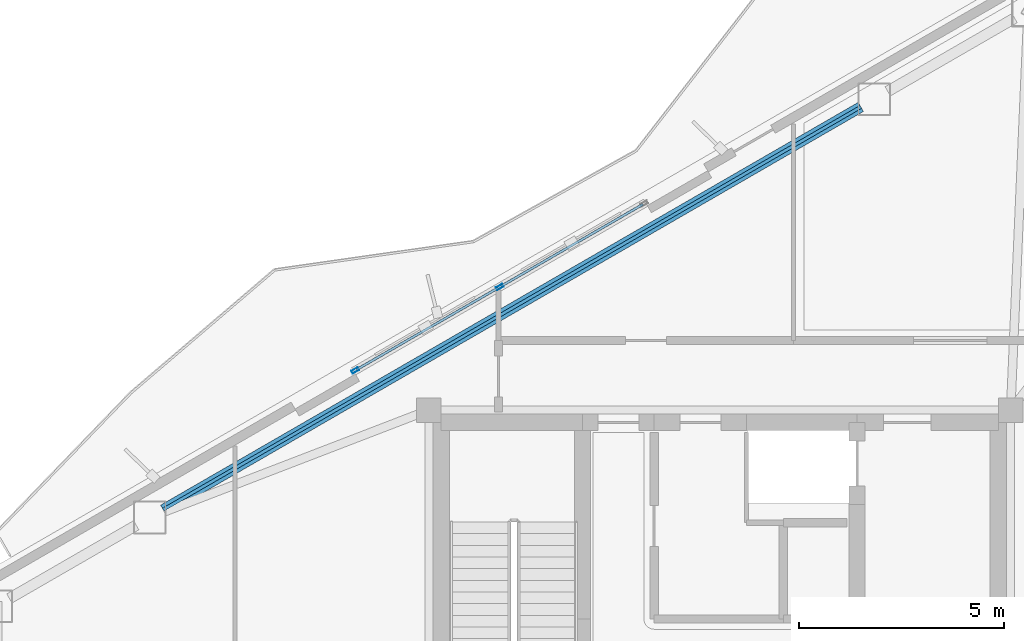
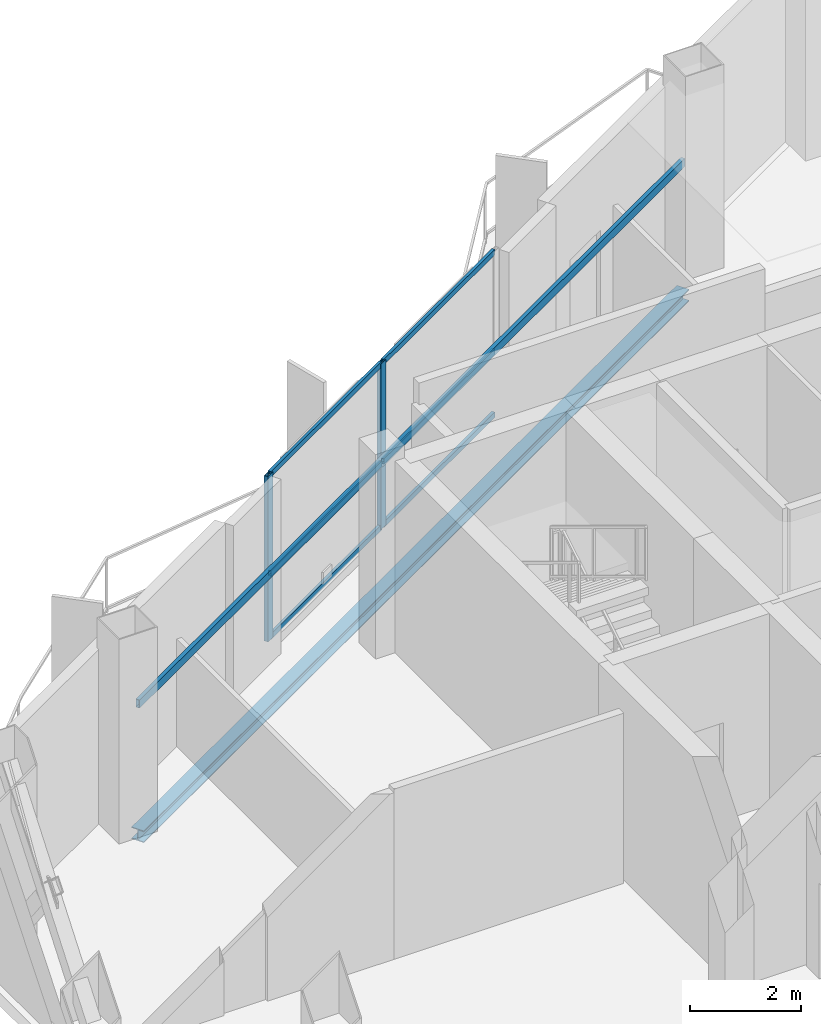
# One storey, part 6 of 14: 8 members, 2 beams, 1 element without a shape of its own.
"""IFC4 building model written with IfcOpenShell, lengths in metres."""

from ifc_helpers import new_model, si_unit, direction, frame, origin, origin_2d, place, context, subcontext, project, spatial, hollow_rectangle, i_section, extrude, material, layer, layer_set, material_profile, profile_set, type_object, element, aggregate, save


model = new_model("IFC4")

# Units and contexts
model_context = context("Model", 3, precision=1e-05, world=origin(), true_north=direction((0.0, 1.0)))
body_context = subcontext(model_context, "Body", "Model", "MODEL_VIEW")
ifc_project = project(units=[si_unit("LENGTHUNIT", "METRE"), si_unit("AREAUNIT", "SQUARE_METRE"), si_unit("VOLUMEUNIT", "CUBIC_METRE"), si_unit("PLANEANGLEUNIT", "RADIAN"), si_unit("MASSUNIT", "GRAM", prefix="KILO")], contexts=[model_context])

# Site, building, storey
site_placement = place(None, origin())
site = spatial("IfcSite", under=ifc_project, at=site_placement, CompositionType="ELEMENT")
building_placement = place(site_placement, origin())
building = spatial("IfcBuilding", under=site, at=building_placement, Name="Mersakhor Tower and Convention Hall", CompositionType="ELEMENT")
storey_placement = place(building_placement, frame((0.0, 0.0, 249.60009765625)))
storey = spatial("IfcBuildingStorey", under=building, at=storey_placement, Name="L70", CompositionType="ELEMENT", Elevation=249.60009765625)

# Beams
ifc_material_1 = material(Name="Steel S355", Category="steel")
ifc_material_profile_1 = material_profile(ifc_material_1, hollow_rectangle(XDim=0.080078125, YDim=0.179931640625, WallThickness=0.008056640625, at=origin_2d()), Name="RHS 180x80x8")
ifc_profile_set_1 = profile_set([ifc_material_profile_1], Name="Steel S355")
beam_type_1 = type_object("IfcBeamType", Name="BM-GRT-RHS180", PredefinedType="USERDEFINED", material=ifc_profile_set_1)
beam_1_placement = place(storey_placement, frame((15.414794921875, 30.618408203125, 2.47998046875), z_axis=(0.866021610626, 0.500006569886, 0.0), x_axis=(-0.500006569886, 0.866021610626, 0.0)))
element("IfcBeam", 1, at=beam_1_placement, inside=storey, type_object=beam_type_1, Name="L70 Facade Support Girt GRT-F1", ObjectType="GIRT", PredefinedType="USERDEFINED", context=body_context, shape_type="SweptSolid", body=[
    extrude(hollow_rectangle(XDim=0.080078125, YDim=0.179931640625, WallThickness=0.008056640625, at=origin_2d()), origin(), (0.0, 0.0, 1.0), 19.661865234375),
])
ifc_material_2 = material(Name="Steel S355", Category="steel")
ifc_material_profile_2 = material_profile(ifc_material_2, i_section(OverallWidth=0.25634765625, OverallDepth=0.26025390625, WebThickness=0.01025390625, FlangeThickness=0.017333984375, at=origin_2d()), Name="UC 254x254x89")
ifc_profile_set_2 = profile_set([ifc_material_profile_2], Name="Steel S355")
beam_type_2 = type_object("IfcBeamType", Name="BM-SPD-UC254", PredefinedType="SPANDREL", material=ifc_profile_set_2)
beam_2_placement = place(storey_placement, frame((15.414794921875, 30.618408203125, -0.41015625), z_axis=(0.866021610626, 0.500006569886, 0.0), x_axis=(-0.500006569886, 0.866021610626, 0.0)))
element("IfcBeam", 2, at=beam_2_placement, inside=storey, type_object=beam_type_2, Name="L70 Perimeter Spandrel Beam SPB-02", PredefinedType="SPANDREL", context=body_context, shape_type="SweptSolid", body=[
    extrude(i_section(OverallWidth=0.25634765625, OverallDepth=0.26025390625, WebThickness=0.01025390625, FlangeThickness=0.017333984375, at=origin_2d()), origin(), (0.0, 0.0, 1.0), 19.661865234375),
])

# Curtain wall, members
ifc_material_3 = material(Name="Dark solar low-E aluminium curtain wall", Category="aluminium")
ifc_layer = layer(ifc_material_3, 0.2099609375)
ifc_layer_set = layer_set([ifc_layer], Name="Dark solar low-E aluminium curtain wall")
curtain_wall_type = type_object("IfcCurtainWallType", Name="CW-SYS-06", PredefinedType="USERDEFINED", material=ifc_layer_set)
curtain_wall_placement = place(storey_placement, origin())
curtain_wall = element("IfcCurtainWall", 3, at=curtain_wall_placement, inside=storey, type_object=curtain_wall_type, Name="L70 Dark-Glass Curtain Wall F1-B2", ObjectType="CURTAIN WALL", PredefinedType="USERDEFINED")
ifc_material_4 = material(Name="Anodised aluminium EN AW-6063 T6", Category="aluminium")
ifc_material_profile_3 = material_profile(ifc_material_4, hollow_rectangle(XDim=0.080078125, YDim=0.179931640625, WallThickness=0.008056640625, at=origin_2d()), Name="RHS 180x80x8")
ifc_profile_set_3 = profile_set([ifc_material_profile_3], Name="Anodised aluminium EN AW-6063 T6")
member_type_1 = type_object("IfcMemberType", Name="CWM-180x80", PredefinedType="MULLION", material=ifc_profile_set_3)
member_1_placement = place(storey_placement, frame((20.1005859375, 34.0166015625, 0.199951171875), z_axis=(0.0, 0.0, 1.0), x_axis=(-0.500004411169, 0.86602285698, 0.0)))
member_1 = element("IfcMember", 4, at=member_1_placement, type_object=member_type_1, Name="CW-06 mullion 1", PredefinedType="MULLION", context=body_context, shape_type="SweptSolid", body=[
    extrude(hollow_rectangle(XDim=0.080078125, YDim=0.179931640625, WallThickness=0.008056640625, at=origin_2d()), origin(), (0.0, 0.0, 1.0), 3.639892578125),
])
member_2_placement = place(storey_placement, frame((23.628662109375, 36.053466796875, 0.199951171875), z_axis=(0.0, 0.0, 1.0), x_axis=(-0.500004411169, 0.86602285698, 0.0)))
member_2 = element("IfcMember", 5, at=member_2_placement, type_object=member_type_1, Name="CW-06 mullion 2", PredefinedType="MULLION", context=body_context, shape_type="SweptSolid", body=[
    extrude(hollow_rectangle(XDim=0.080078125, YDim=0.179931640625, WallThickness=0.008056640625, at=origin_2d()), origin(), (0.0, 0.0, 1.0), 3.639892578125),
])
ifc_material_5 = material(Name="Anodised aluminium EN AW-6063 T6", Category="aluminium")
ifc_material_profile_4 = material_profile(ifc_material_5, hollow_rectangle(XDim=0.06005859375, YDim=0.1201171875, WallThickness=0.0048828125, at=origin_2d()), Name="RHS 120x60x5")
ifc_profile_set_4 = profile_set([ifc_material_profile_4], Name="Anodised aluminium EN AW-6063 T6")
member_type_2 = type_object("IfcMemberType", Name="CWT-120x60", PredefinedType="USERDEFINED", material=ifc_profile_set_4)
member_3_placement = place(storey_placement, frame((20.13525390625, 34.03662109375, 0.22998046875), z_axis=(0.866033907579, 0.499985270706, 0.0), x_axis=(-0.499985270706, 0.866033907579, 0.0)))
member_3 = element("IfcMember", 6, at=member_3_placement, type_object=member_type_2, Name="CW-06 transom 1.1", ObjectType="TRANSOM", PredefinedType="USERDEFINED", context=body_context, shape_type="SweptSolid", body=[
    extrude(hollow_rectangle(XDim=0.06005859375, YDim=0.1201171875, WallThickness=0.0048828125, at=origin_2d()), origin(), (0.0, 0.0, 1.0), 3.99365234375),
])
member_4_placement = place(storey_placement, frame((20.13525390625, 34.03662109375, 1.619873046875), z_axis=(0.866033907579, 0.499985270706, 0.0), x_axis=(-0.499985270706, 0.866033907579, 0.0)))
member_4 = element("IfcMember", 7, at=member_4_placement, type_object=member_type_2, Name="CW-06 transom 1.2", ObjectType="TRANSOM", PredefinedType="USERDEFINED", context=body_context, shape_type="SweptSolid", body=[
    extrude(hollow_rectangle(XDim=0.06005859375, YDim=0.1201171875, WallThickness=0.0048828125, at=origin_2d()), origin(), (0.0, 0.0, 1.0), 3.99365234375),
])
member_5_placement = place(storey_placement, frame((20.13525390625, 34.03662109375, 3.809814453125), z_axis=(0.866033907579, 0.499985270706, 0.0), x_axis=(-0.499985270706, 0.866033907579, 0.0)))
member_5 = element("IfcMember", 8, at=member_5_placement, type_object=member_type_2, Name="CW-06 transom 1.3", ObjectType="TRANSOM", PredefinedType="USERDEFINED", context=body_context, shape_type="SweptSolid", body=[
    extrude(hollow_rectangle(XDim=0.06005859375, YDim=0.1201171875, WallThickness=0.0048828125, at=origin_2d()), origin(), (0.0, 0.0, 1.0), 3.99365234375),
])
member_6_placement = place(storey_placement, frame((23.663330078125, 36.073486328125, 0.22998046875), z_axis=(0.866007437469, 0.50003111728, 0.0), x_axis=(-0.50003111728, 0.866007437469, 0.0)))
member_6 = element("IfcMember", 9, at=member_6_placement, type_object=member_type_2, Name="CW-06 transom 2.1", ObjectType="TRANSOM", PredefinedType="USERDEFINED", context=body_context, shape_type="SweptSolid", body=[
    extrude(hollow_rectangle(XDim=0.06005859375, YDim=0.1201171875, WallThickness=0.0048828125, at=origin_2d()), origin(), (0.0, 0.0, 1.0), 3.993896484375),
])
member_7_placement = place(storey_placement, frame((23.663330078125, 36.073486328125, 1.619873046875), z_axis=(0.866007437469, 0.50003111728, 0.0), x_axis=(-0.50003111728, 0.866007437469, 0.0)))
member_7 = element("IfcMember", 10, at=member_7_placement, type_object=member_type_2, Name="CW-06 transom 2.2", ObjectType="TRANSOM", PredefinedType="USERDEFINED", context=body_context, shape_type="SweptSolid", body=[
    extrude(hollow_rectangle(XDim=0.06005859375, YDim=0.1201171875, WallThickness=0.0048828125, at=origin_2d()), origin(), (0.0, 0.0, 1.0), 3.993896484375),
])
member_8_placement = place(storey_placement, frame((23.663330078125, 36.073486328125, 3.809814453125), z_axis=(0.866007437469, 0.50003111728, 0.0), x_axis=(-0.50003111728, 0.866007437469, 0.0)))
member_8 = element("IfcMember", 11, at=member_8_placement, type_object=member_type_2, Name="CW-06 transom 2.3", ObjectType="TRANSOM", PredefinedType="USERDEFINED", context=body_context, shape_type="SweptSolid", body=[
    extrude(hollow_rectangle(XDim=0.06005859375, YDim=0.1201171875, WallThickness=0.0048828125, at=origin_2d()), origin(), (0.0, 0.0, 1.0), 3.993896484375),
])
aggregate(curtain_wall, [member_1, member_2, member_3, member_4, member_5, member_6, member_7, member_8])

save(model, "model.ifc")
